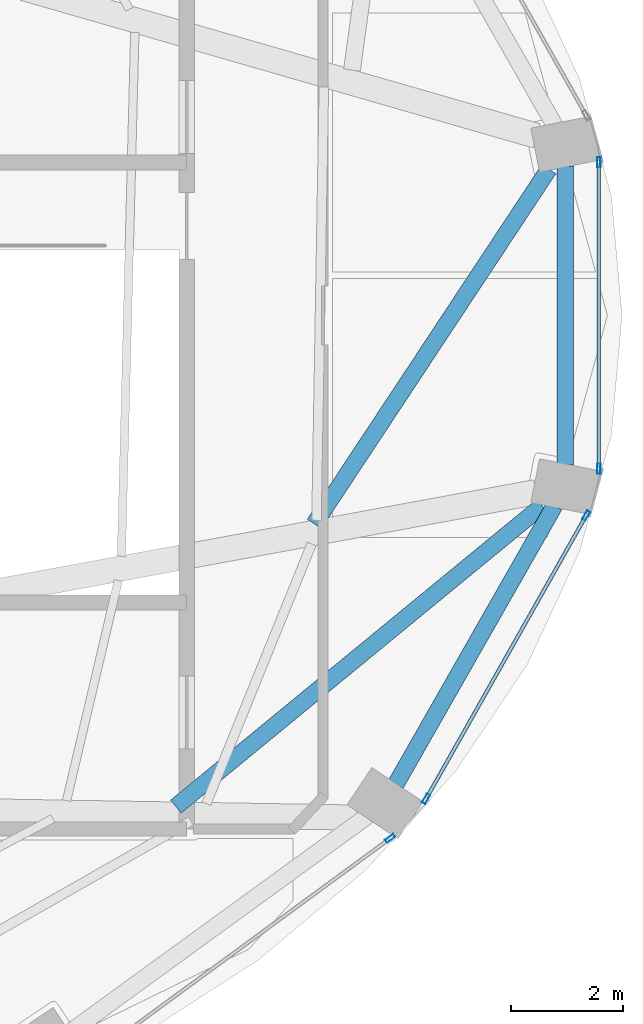
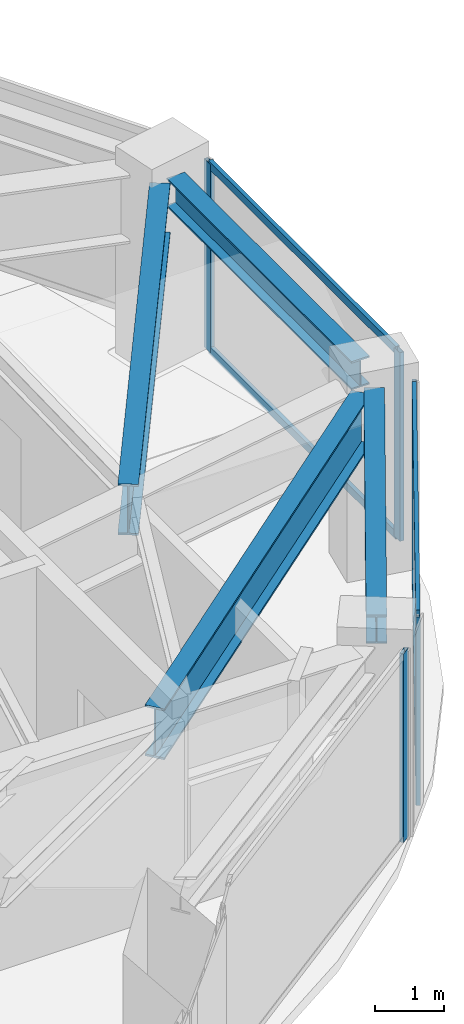
# One storey, part 6 of 13: 9 members, 4 beams, 3 elements without a shape of their own.
"""IFC4 building model written with IfcOpenShell, lengths in metres."""

from ifc_helpers import new_model, si_unit, direction, frame, origin, origin_2d, place, context, subcontext, project, spatial, hollow_rectangle, i_section, extrude, material, layer, layer_set, material_profile, profile_set, type_object, element, aggregate, save


model = new_model("IFC4")

# Units and contexts
model_context = context("Model", 3, precision=1e-05, world=origin(), true_north=direction((0.0, 1.0)))
body_context = subcontext(model_context, "Body", "Model", "MODEL_VIEW")
ifc_project = project(units=[si_unit("LENGTHUNIT", "METRE"), si_unit("AREAUNIT", "SQUARE_METRE"), si_unit("VOLUMEUNIT", "CUBIC_METRE"), si_unit("PLANEANGLEUNIT", "RADIAN"), si_unit("MASSUNIT", "GRAM", prefix="KILO")], contexts=[model_context])

# Site, building, storey
site_placement = place(None, origin())
site = spatial("IfcSite", under=ifc_project, at=site_placement, CompositionType="ELEMENT")
building_placement = place(site_placement, origin())
building = spatial("IfcBuilding", under=site, at=building_placement, Name="Lazwardi Medical Tower", CompositionType="ELEMENT")
storey_placement = place(building_placement, frame((0.0, 0.0, 298.800048828125)))
storey = spatial("IfcBuildingStorey", under=building, at=storey_placement, Name="L78", CompositionType="ELEMENT", Elevation=298.800048828125)

# Beams
ifc_material_1 = material(Name="Steel S460", Category="steel")
ifc_material_profile_1 = material_profile(ifc_material_1, i_section(OverallWidth=0.300048828125, OverallDepth=0.89990234375, WebThickness=0.0185546875, FlangeThickness=0.034912109375, at=origin_2d()), Name="HEB 900")
ifc_profile_set_1 = profile_set([ifc_material_profile_1], Name="Steel S460")
beam_type_1 = type_object("IfcBeamType", Name="BM-HB-01", PredefinedType="BEAM", material=ifc_profile_set_1)
beam_1_placement = place(storey_placement, frame((50.2216796875, 20.417236328125, 2.8779296875), z_axis=(0.772716163646, 0.63475170771, 0.0), x_axis=(-0.63475170771, 0.772716163646, 0.0)))
element("IfcBeam", 1, at=beam_1_placement, inside=storey, type_object=beam_type_1, Name="Transfer girder tie HB-01 M03 L78", PredefinedType="BEAM", context=body_context, shape_type="SweptSolid", body=[
    extrude(i_section(OverallWidth=0.300048828125, OverallDepth=0.89990234375, WebThickness=0.0185546875, FlangeThickness=0.034912109375, at=origin_2d()), origin(), (0.0, 0.0, 1.0), 8.476318359375),
])
beam_2_placement = place(storey_placement, frame((52.696533203125, 25.4716796875, 2.8779296875), z_axis=(0.551362206605, 0.834265975051, 0.0), x_axis=(-0.834265975051, 0.551362206605, 0.0)))
element("IfcBeam", 2, at=beam_2_placement, inside=storey, type_object=beam_type_1, Name="Transfer girder tie HB-01 M04 L78", PredefinedType="BEAM", context=body_context, shape_type="SweptSolid", body=[
    extrude(i_section(OverallWidth=0.300048828125, OverallDepth=0.89990234375, WebThickness=0.0185546875, FlangeThickness=0.034912109375, at=origin_2d()), origin(), (0.0, 0.0, 1.0), 7.60546875),
])
ifc_material_2 = material(Name="Steel S355", Category="steel")
ifc_material_profile_2 = material_profile(ifc_material_2, i_section(OverallWidth=0.300048828125, OverallDepth=0.5, WebThickness=0.014404296875, FlangeThickness=0.028076171875, at=origin_2d()), Name="HEB 500")
ifc_profile_set_2 = profile_set([ifc_material_profile_2], Name="Steel S355")
beam_type_2 = type_object("IfcBeamType", Name="BM-RB-Z4", PredefinedType="BEAM", material=ifc_profile_set_2)
beam_3_placement = place(storey_placement, frame((54.15283203125, 20.81640625, 3.077880859375), z_axis=(0.495125273299, 0.868821594886, 0.0), x_axis=(-0.868821594886, 0.495125273299, 0.0)))
element("IfcBeam", 3, at=beam_3_placement, inside=storey, type_object=beam_type_2, Name="Ring beam RB-05 B03 L78", PredefinedType="BEAM", context=body_context, shape_type="SweptSolid", body=[
    extrude(i_section(OverallWidth=0.300048828125, OverallDepth=0.5, WebThickness=0.014404296875, FlangeThickness=0.028076171875, at=origin_2d()), origin(), (0.0, 0.0, 1.0), 5.734130859375),
])
beam_4_placement = place(storey_placement, frame((57.18505859375, 26.527099609375, 3.077880859375), z_axis=(0.0, 1.0, 0.0), x_axis=(-1.0, 0.0, 0.0)))
element("IfcBeam", 4, at=beam_4_placement, inside=storey, type_object=beam_type_2, Name="Ring beam RB-05 B04 L78", PredefinedType="BEAM", context=body_context, shape_type="SweptSolid", body=[
    extrude(i_section(OverallWidth=0.300048828125, OverallDepth=0.5, WebThickness=0.014404296875, FlangeThickness=0.028076171875, at=origin_2d()), origin(), (0.0, 0.0, 1.0), 5.345703125),
])

# Curtain wall, member
ifc_material_3 = material(Name="Anodised bronze aluminium and solar control glazing", Category="aluminium")
ifc_layer = layer(ifc_material_3, 0.18994140625)
ifc_layer_set = layer_set([ifc_layer], Name="Anodised bronze aluminium and solar control glazing")
curtain_wall_type = type_object("IfcCurtainWallType", Name="CW-SYS-04", PredefinedType="NOTDEFINED", material=ifc_layer_set)
curtain_wall_1_placement = place(storey_placement, origin())
curtain_wall_1 = element("IfcCurtainWall", 5, at=curtain_wall_1_placement, inside=storey, type_object=curtain_wall_type, Name="L78 Unitised bronze curtain wall CW-04", PredefinedType="NOTDEFINED")
ifc_material_4 = material(Name="Anodised bronze aluminium", Category="aluminium")
ifc_material_profile_3 = material_profile(ifc_material_4, hollow_rectangle(XDim=0.06494140625, YDim=0.179931640625, WallThickness=0.00390625, at=origin_2d()), Name="ALU-MULLION 180x65x4")
ifc_profile_set_3 = profile_set([ifc_material_profile_3], Name="Anodised bronze aluminium")
member_type_1 = type_object("IfcMemberType", Name="CW-MUL-03", PredefinedType="MULLION", material=ifc_profile_set_3)
member_1_placement = place(storey_placement, frame((54.052001953125, 19.848388671875, 0.0), z_axis=(0.0, 0.0, 1.0), x_axis=(-0.591268230971, 0.806474971121, 0.0)))
member_1 = element("IfcMember", 6, at=member_1_placement, type_object=member_type_1, Name="CW-04 mullion 2", PredefinedType="MULLION", context=body_context, shape_type="SweptSolid", body=[
    extrude(hollow_rectangle(XDim=0.06494140625, YDim=0.179931640625, WallThickness=0.00390625, at=origin_2d()), origin(), (0.0, 0.0, 1.0), 3.327880859375),
])
aggregate(curtain_wall_1, [member_1])

# Curtain wall, members
curtain_wall_2_placement = place(storey_placement, origin())
curtain_wall_2 = element("IfcCurtainWall", 7, at=curtain_wall_2_placement, inside=storey, type_object=curtain_wall_type, Name="L78 Unitised bronze curtain wall CW-04", PredefinedType="NOTDEFINED")
member_2_placement = place(storey_placement, frame((54.6943359375, 20.554443359375, 0.0), z_axis=(0.0, 0.0, 1.0), x_axis=(-0.870651436011, 0.491900474661, 0.0)))
member_2 = element("IfcMember", 8, at=member_2_placement, type_object=member_type_1, Name="CW-04 mullion 1", PredefinedType="MULLION", context=body_context, shape_type="SweptSolid", body=[
    extrude(hollow_rectangle(XDim=0.06494140625, YDim=0.179931640625, WallThickness=0.00390625, at=origin_2d()), origin(), (0.0, 0.0, 1.0), 3.327880859375),
])
member_3_placement = place(storey_placement, frame((57.557373046875, 25.621826171875, 0.0), z_axis=(0.0, 0.0, 1.0), x_axis=(-0.870651436011, 0.491900474661, 0.0)))
member_3 = element("IfcMember", 9, at=member_3_placement, type_object=member_type_1, Name="CW-04 mullion 2", PredefinedType="MULLION", context=body_context, shape_type="SweptSolid", body=[
    extrude(hollow_rectangle(XDim=0.06494140625, YDim=0.179931640625, WallThickness=0.00390625, at=origin_2d()), origin(), (0.0, 0.0, 1.0), 3.327880859375),
])

curtain_wall_3_placement = place(storey_placement, origin())
curtain_wall_3 = element("IfcCurtainWall", 10, at=curtain_wall_3_placement, inside=storey, type_object=curtain_wall_type, Name="L78 Unitised bronze curtain wall CW-04", PredefinedType="NOTDEFINED")
member_4_placement = place(storey_placement, frame((57.7841796875, 26.45947265625, 0.0), z_axis=(0.0, 0.0, 1.0), x_axis=(-1.0, 0.0, 0.0)))
member_4 = element("IfcMember", 11, at=member_4_placement, type_object=member_type_1, Name="CW-04 mullion 1", PredefinedType="MULLION", context=body_context, shape_type="SweptSolid", body=[
    extrude(hollow_rectangle(XDim=0.06494140625, YDim=0.179931640625, WallThickness=0.00390625, at=origin_2d()), origin(), (0.0, 0.0, 1.0), 3.327880859375),
])
member_5_placement = place(storey_placement, frame((57.7841796875, 31.9404296875, 0.0), z_axis=(0.0, 0.0, 1.0), x_axis=(-1.0, 0.0, 0.0)))
member_5 = element("IfcMember", 12, at=member_5_placement, type_object=member_type_1, Name="CW-04 mullion 2", PredefinedType="MULLION", context=body_context, shape_type="SweptSolid", body=[
    extrude(hollow_rectangle(XDim=0.06494140625, YDim=0.179931640625, WallThickness=0.00390625, at=origin_2d()), origin(), (0.0, 0.0, 1.0), 3.327880859375),
])

# Member
ifc_material_profile_4 = material_profile(ifc_material_4, hollow_rectangle(XDim=0.06494140625, YDim=0.139892578125, WallThickness=0.00341796875, at=origin_2d()), Name="ALU-TRANSOM 140x65x3.5")
ifc_profile_set_4 = profile_set([ifc_material_profile_4], Name="Anodised bronze aluminium")
member_type_2 = type_object("IfcMemberType", Name="CW-TRN-03", PredefinedType="USERDEFINED", material=ifc_profile_set_4)
member_6_placement = place(storey_placement, frame((54.71044921875, 20.582763671875, 0.032470703125), z_axis=(0.491879719484, 0.87066316194, 0.0), x_axis=(-0.87066316194, 0.491879719484, 0.0)))
member_6 = element("IfcMember", 13, at=member_6_placement, type_object=member_type_2, Name="CW-04 transom 1.1", ObjectType="TRANSOM", PredefinedType="USERDEFINED", context=body_context, shape_type="SweptSolid", body=[
    extrude(hollow_rectangle(XDim=0.06494140625, YDim=0.139892578125, WallThickness=0.00341796875, at=origin_2d()), origin(), (0.0, 0.0, 1.0), 5.755126953125),
])

member_7_placement = place(storey_placement, frame((54.71044921875, 20.582763671875, 3.29541015625), z_axis=(0.491879719484, 0.87066316194, 0.0), x_axis=(-0.87066316194, 0.491879719484, 0.0)))
member_7 = element("IfcMember", 14, at=member_7_placement, type_object=member_type_2, Name="CW-04 transom 1.2", ObjectType="TRANSOM", PredefinedType="USERDEFINED", context=body_context, shape_type="SweptSolid", body=[
    extrude(hollow_rectangle(XDim=0.06494140625, YDim=0.139892578125, WallThickness=0.00341796875, at=origin_2d()), origin(), (0.0, 0.0, 1.0), 5.755126953125),
])

aggregate(curtain_wall_2, [member_2, member_3, member_6, member_7])

member_8_placement = place(storey_placement, frame((57.7841796875, 26.491943359375, 0.032470703125), z_axis=(0.0, 1.0, 0.0), x_axis=(-1.0, 0.0, 0.0)))
member_8 = element("IfcMember", 15, at=member_8_placement, type_object=member_type_2, Name="CW-04 transom 1.1", ObjectType="TRANSOM", PredefinedType="USERDEFINED", context=body_context, shape_type="SweptSolid", body=[
    extrude(hollow_rectangle(XDim=0.06494140625, YDim=0.139892578125, WallThickness=0.00341796875, at=origin_2d()), origin(), (0.0, 0.0, 1.0), 5.416015625),
])

member_9_placement = place(storey_placement, frame((57.7841796875, 26.491943359375, 3.29541015625), z_axis=(0.0, 1.0, 0.0), x_axis=(-1.0, 0.0, 0.0)))
member_9 = element("IfcMember", 16, at=member_9_placement, type_object=member_type_2, Name="CW-04 transom 1.2", ObjectType="TRANSOM", PredefinedType="USERDEFINED", context=body_context, shape_type="SweptSolid", body=[
    extrude(hollow_rectangle(XDim=0.06494140625, YDim=0.139892578125, WallThickness=0.00341796875, at=origin_2d()), origin(), (0.0, 0.0, 1.0), 5.416015625),
])

aggregate(curtain_wall_3, [member_4, member_5, member_8, member_9])

save(model, "model.ifc")
